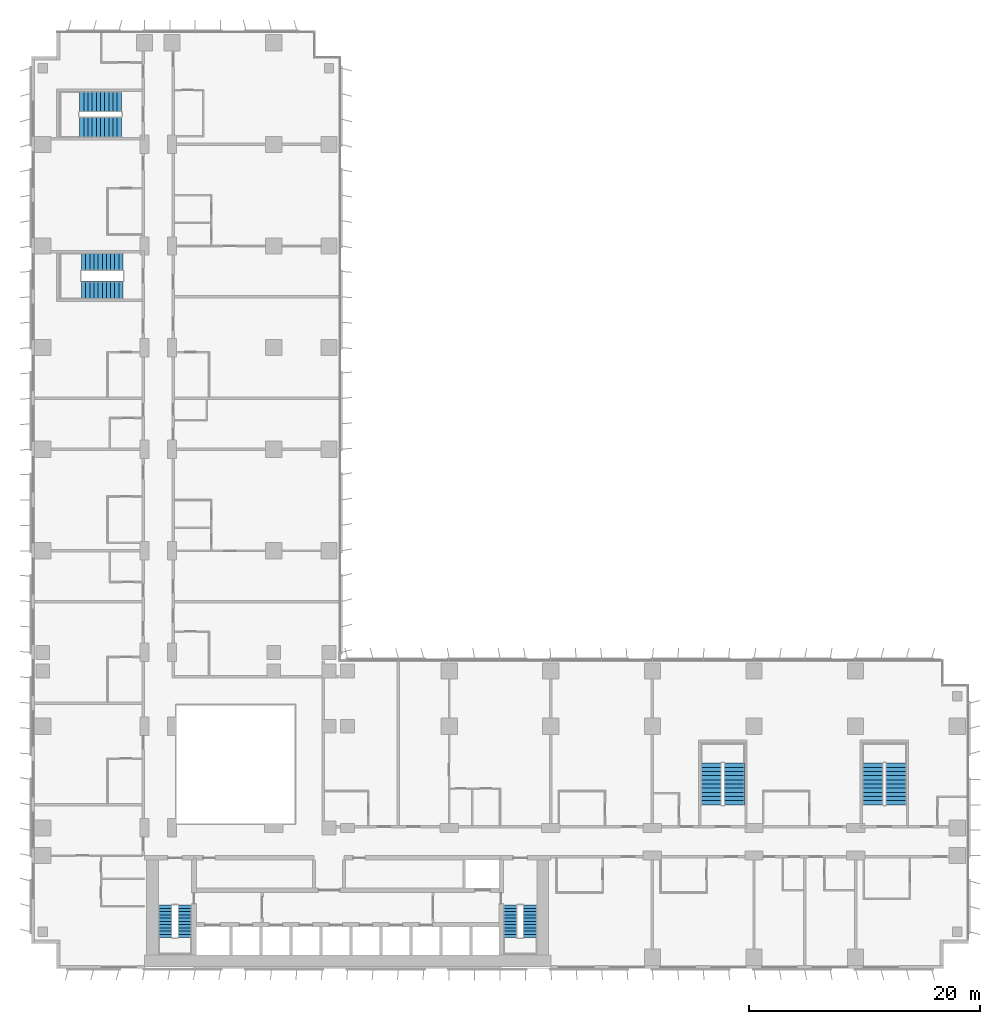
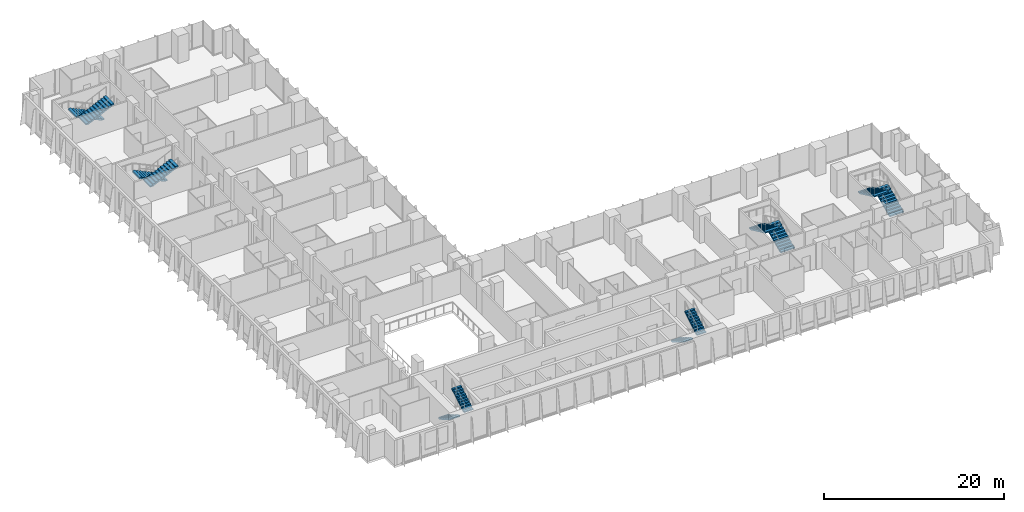
# One storey, part 20 of 24: 12 stair flights, 6 elements without a shape of their own.
"""IFC4 building model written with IfcOpenShell, lengths in metres."""

from ifc_helpers import new_model, si_unit, direction, frame, origin, place, context, subcontext, project, spatial, polyline, outline, extrude, material, type_object, element, aggregate, save


model = new_model("IFC4")

# Units and contexts
model_context = context("Model", 3, precision=1e-05, world=origin(), true_north=direction((0.0, 1.0)))
body_context = subcontext(model_context, "Body", "Model", "MODEL_VIEW")
ifc_project = project(units=[si_unit("LENGTHUNIT", "METRE"), si_unit("AREAUNIT", "SQUARE_METRE"), si_unit("VOLUMEUNIT", "CUBIC_METRE"), si_unit("PLANEANGLEUNIT", "RADIAN"), si_unit("MASSUNIT", "GRAM", prefix="KILO")], contexts=[model_context])

# Site, building, storey
site_placement = place(None, origin())
site = spatial("IfcSite", under=ifc_project, at=site_placement, CompositionType="ELEMENT")
building_placement = place(site_placement, origin())
building = spatial("IfcBuilding", under=site, at=building_placement, Name="Kemantara Hotel Tower", CompositionType="ELEMENT")
storey_placement = place(building_placement, frame((0.0, 0.0, 45.10009765625)))
storey = spatial("IfcBuildingStorey", under=building, at=storey_placement, Name="L09", CompositionType="ELEMENT", Elevation=45.10009765625)

# Stair, stair flights
ifc_material = material(Name="Concrete fc 40 MPa", Category="concrete")
stair_type_1 = type_object("IfcStairType", Name="Stair 1200 wide 22 risers of 168 x 280 mm", PredefinedType="HALF_TURN_STAIR", material=ifc_material)
stair_1_placement = place(storey_placement, origin())
stair_1 = element("IfcStair", 1, at=stair_1_placement, inside=storey, type_object=stair_type_1, Name="L09 Exit stair ST1", PredefinedType="HALF_TURN_STAIR")
stair_flight_type_1 = type_object("IfcStairFlightType", Name="Stair flight 1200 wide 168 x 280 mm", PredefinedType="STRAIGHT", material=ifc_material)
stair_flight_1_placement = place(storey_placement, frame((11.60009765625, 5.5, 0.0), z_axis=(0.0, 0.0, 1.0), x_axis=(0.0, -1.0, 0.0)))
stair_flight_1 = element("IfcStairFlight", 2, at=stair_flight_1_placement, type_object=stair_flight_type_1, Name="ST1 flight 1", NumberOfRisers=11, NumberOfTreads=10, PredefinedType="STRAIGHT", RiserHeight=0.168181818, TreadLength=0.28, context=body_context, shape_type="SweptSolid", body=[
    extrude(outline(polyline([(0.0, 0.0), (0.0, 0.168212890625), (0.280029296875, 0.168212890625), (0.280029296875, 0.33642578125), (0.56005859375, 0.33642578125), (0.56005859375, 0.504638671875), (0.840087890625, 0.504638671875), (0.840087890625, 0.672607421875), (1.1201171875, 0.672607421875), (1.1201171875, 0.8408203125), (1.39990234375, 0.8408203125), (1.39990234375, 1.009033203125), (1.679931640625, 1.009033203125), (1.679931640625, 1.17724609375), (1.9599609375, 1.17724609375), (1.9599609375, 1.345458984375), (2.239990234375, 1.345458984375), (2.239990234375, 1.513671875), (2.52001953125, 1.513671875), (2.52001953125, 1.681884765625), (2.800048828125, 1.681884765625), (2.800048828125, 1.85009765625), (2.800048828125, 1.5068359375), (0.291015625, 0.0), (0.0, 0.0)])), frame((0.0, 0.60009765625, 0.0), z_axis=(0.0, -1.0, 0.0), x_axis=(1.0, 0.0, 0.0)), (0.0, 0.0, 1.0), 1.199951171875),
])
stair_flight_2_placement = place(storey_placement, frame((13.300048828125, 2.699951171875, 1.849853515625), z_axis=(0.0, 0.0, 1.0), x_axis=(0.0, 1.0, 0.0)))
stair_flight_2 = element("IfcStairFlight", 3, at=stair_flight_2_placement, type_object=stair_flight_type_1, Name="ST1 flight 2", NumberOfRisers=11, NumberOfTreads=10, PredefinedType="STRAIGHT", RiserHeight=0.168181818, TreadLength=0.28, context=body_context, shape_type="SweptSolid", body=[
    extrude(outline(polyline([(0.0, 0.0), (0.0, 0.168212890625), (0.280029296875, 0.168212890625), (0.280029296875, 0.33642578125), (0.56005859375, 0.33642578125), (0.56005859375, 0.504638671875), (0.840087890625, 0.504638671875), (0.840087890625, 0.672607421875), (1.1201171875, 0.672607421875), (1.1201171875, 0.8408203125), (1.39990234375, 0.8408203125), (1.39990234375, 1.009033203125), (1.679931640625, 1.009033203125), (1.679931640625, 1.17724609375), (1.9599609375, 1.17724609375), (1.9599609375, 1.345458984375), (2.239990234375, 1.345458984375), (2.239990234375, 1.513671875), (2.52001953125, 1.513671875), (2.52001953125, 1.681884765625), (2.800048828125, 1.681884765625), (2.800048828125, 1.85009765625), (2.800048828125, 1.5068359375), (0.291015625, 0.0), (0.0, 0.0)])), frame((0.0, 0.60009765625, 0.0), z_axis=(0.0, -1.0, 0.0), x_axis=(1.0, 0.0, 0.0)), (0.0, 0.0, 1.0), 1.199951171875),
])
aggregate(stair_1, [stair_flight_1, stair_flight_2])

stair_2_placement = place(storey_placement, origin())
stair_2 = element("IfcStair", 4, at=stair_2_placement, inside=storey, type_object=stair_type_1, Name="L09 Exit stair ST2", PredefinedType="HALF_TURN_STAIR")
stair_flight_3_placement = place(storey_placement, frame((41.5, 5.5, 0.0), z_axis=(0.0, 0.0, 1.0), x_axis=(0.0, -1.0, 0.0)))
stair_flight_3 = element("IfcStairFlight", 5, at=stair_flight_3_placement, type_object=stair_flight_type_1, Name="ST2 flight 1", NumberOfRisers=11, NumberOfTreads=10, PredefinedType="STRAIGHT", RiserHeight=0.168181818, TreadLength=0.28, context=body_context, shape_type="SweptSolid", body=[
    extrude(outline(polyline([(0.0, 0.0), (0.0, 0.168212890625), (0.280029296875, 0.168212890625), (0.280029296875, 0.33642578125), (0.56005859375, 0.33642578125), (0.56005859375, 0.504638671875), (0.840087890625, 0.504638671875), (0.840087890625, 0.672607421875), (1.1201171875, 0.672607421875), (1.1201171875, 0.8408203125), (1.39990234375, 0.8408203125), (1.39990234375, 1.009033203125), (1.679931640625, 1.009033203125), (1.679931640625, 1.17724609375), (1.9599609375, 1.17724609375), (1.9599609375, 1.345458984375), (2.239990234375, 1.345458984375), (2.239990234375, 1.513671875), (2.52001953125, 1.513671875), (2.52001953125, 1.681884765625), (2.800048828125, 1.681884765625), (2.800048828125, 1.85009765625), (2.800048828125, 1.5068359375), (0.291015625, 0.0), (0.0, 0.0)])), frame((0.0, 0.60009765625, 0.0), z_axis=(0.0, -1.0, 0.0), x_axis=(1.0, 0.0, 0.0)), (0.0, 0.0, 1.0), 1.199951171875),
])
stair_flight_4_placement = place(storey_placement, frame((43.199951171875, 2.699951171875, 1.849853515625), z_axis=(0.0, 0.0, 1.0), x_axis=(0.0, 1.0, 0.0)))
stair_flight_4 = element("IfcStairFlight", 6, at=stair_flight_4_placement, type_object=stair_flight_type_1, Name="ST2 flight 2", NumberOfRisers=11, NumberOfTreads=10, PredefinedType="STRAIGHT", RiserHeight=0.168181818, TreadLength=0.28, context=body_context, shape_type="SweptSolid", body=[
    extrude(outline(polyline([(0.0, 0.0), (0.0, 0.168212890625), (0.280029296875, 0.168212890625), (0.280029296875, 0.33642578125), (0.56005859375, 0.33642578125), (0.56005859375, 0.504638671875), (0.840087890625, 0.504638671875), (0.840087890625, 0.672607421875), (1.1201171875, 0.672607421875), (1.1201171875, 0.8408203125), (1.39990234375, 0.8408203125), (1.39990234375, 1.009033203125), (1.679931640625, 1.009033203125), (1.679931640625, 1.17724609375), (1.9599609375, 1.17724609375), (1.9599609375, 1.345458984375), (2.239990234375, 1.345458984375), (2.239990234375, 1.513671875), (2.52001953125, 1.513671875), (2.52001953125, 1.681884765625), (2.800048828125, 1.681884765625), (2.800048828125, 1.85009765625), (2.800048828125, 1.5068359375), (0.291015625, 0.0), (0.0, 0.0)])), frame((0.0, 0.60009765625, 0.0), z_axis=(0.0, -1.0, 0.0), x_axis=(1.0, 0.0, 0.0)), (0.0, 0.0, 1.0), 1.199951171875),
])
aggregate(stair_2, [stair_flight_3, stair_flight_4])

stair_type_2 = type_object("IfcStairType", Name="Stair 1550 wide 22 risers of 168 x 360 mm", PredefinedType="HALF_TURN_STAIR", material=ifc_material)
stair_3_placement = place(storey_placement, origin())
stair_3 = element("IfcStair", 7, at=stair_3_placement, inside=storey, type_object=stair_type_2, Name="L09 Exit stair ST4", PredefinedType="HALF_TURN_STAIR")
stair_flight_type_2 = type_object("IfcStairFlightType", Name="Stair flight 1550 wide 168 x 360 mm", PredefinedType="STRAIGHT", material=ifc_material)
stair_flight_5_placement = place(storey_placement, frame((7.949951171875, 61.22509765625, 0.0), z_axis=(0.0, 0.0, 1.0), x_axis=(-1.0, 0.0, 0.0)))
stair_flight_5 = element("IfcStairFlight", 8, at=stair_flight_5_placement, type_object=stair_flight_type_2, Name="ST4 flight 1", NumberOfRisers=11, NumberOfTreads=10, PredefinedType="STRAIGHT", RiserHeight=0.168181818, TreadLength=0.36, context=body_context, shape_type="SweptSolid", body=[
    extrude(outline(polyline([(0.0, 0.0), (0.0, 0.168212890625), (0.360107421875, 0.168212890625), (0.360107421875, 0.33642578125), (0.719970703125, 0.33642578125), (0.719970703125, 0.504638671875), (1.080078125, 0.504638671875), (1.080078125, 0.672607421875), (1.43994140625, 0.672607421875), (1.43994140625, 0.8408203125), (1.800048828125, 0.8408203125), (1.800048828125, 1.009033203125), (2.159912109375, 1.009033203125), (2.159912109375, 1.17724609375), (2.52001953125, 1.17724609375), (2.52001953125, 1.345458984375), (2.8798828125, 1.345458984375), (2.8798828125, 1.513671875), (3.239990234375, 1.513671875), (3.239990234375, 1.681884765625), (3.60009765625, 1.681884765625), (3.60009765625, 1.85009765625), (3.60009765625, 1.516357421875), (0.354248046875, 0.0), (0.0, 0.0)])), frame((0.0, 0.77490234375, 0.0), z_axis=(0.0, -1.0, 0.0), x_axis=(1.0, 0.0, 0.0)), (0.0, 0.0, 1.0), 1.550048828125),
])
stair_flight_6_placement = place(storey_placement, frame((4.35009765625, 58.77490234375, 1.849853515625), z_axis=(0.0, 0.0, 1.0), x_axis=(1.0, 0.0, 0.0)))
stair_flight_6 = element("IfcStairFlight", 9, at=stair_flight_6_placement, type_object=stair_flight_type_2, Name="ST4 flight 2", NumberOfRisers=11, NumberOfTreads=10, PredefinedType="STRAIGHT", RiserHeight=0.168181818, TreadLength=0.36, context=body_context, shape_type="SweptSolid", body=[
    extrude(outline(polyline([(0.0, 0.0), (0.0, 0.168212890625), (0.360107421875, 0.168212890625), (0.360107421875, 0.33642578125), (0.719970703125, 0.33642578125), (0.719970703125, 0.504638671875), (1.080078125, 0.504638671875), (1.080078125, 0.672607421875), (1.43994140625, 0.672607421875), (1.43994140625, 0.8408203125), (1.800048828125, 0.8408203125), (1.800048828125, 1.009033203125), (2.159912109375, 1.009033203125), (2.159912109375, 1.17724609375), (2.52001953125, 1.17724609375), (2.52001953125, 1.345458984375), (2.8798828125, 1.345458984375), (2.8798828125, 1.513671875), (3.239990234375, 1.513671875), (3.239990234375, 1.681884765625), (3.60009765625, 1.681884765625), (3.60009765625, 1.85009765625), (3.60009765625, 1.516357421875), (0.354248046875, 0.0), (0.0, 0.0)])), frame((0.0, 0.77490234375, 0.0), z_axis=(0.0, -1.0, 0.0), x_axis=(1.0, 0.0, 0.0)), (0.0, 0.0, 1.0), 1.550048828125),
])
aggregate(stair_3, [stair_flight_5, stair_flight_6])

stair_type_3 = type_object("IfcStairType", Name="Stair 1800 wide 22 risers of 168 x 360 mm", PredefinedType="HALF_TURN_STAIR", material=ifc_material)
stair_4_placement = place(storey_placement, origin())
stair_4 = element("IfcStair", 10, at=stair_4_placement, inside=storey, type_object=stair_type_3, Name="L09 Exit stair ST3", PredefinedType="HALF_TURN_STAIR")
stair_flight_type_3 = type_object("IfcStairFlightType", Name="Stair flight 1800 wide 168 x 360 mm", PredefinedType="STRAIGHT", material=ifc_material)
stair_flight_7_placement = place(storey_placement, frame((60.89990234375, 14.199951171875, 0.0), z_axis=(0.0, 0.0, 1.0), x_axis=(0.0, 1.0, 0.0)))
stair_flight_7 = element("IfcStairFlight", 11, at=stair_flight_7_placement, type_object=stair_flight_type_3, Name="ST3 flight 1", NumberOfRisers=11, NumberOfTreads=10, PredefinedType="STRAIGHT", RiserHeight=0.168181818, TreadLength=0.36, context=body_context, shape_type="SweptSolid", body=[
    extrude(outline(polyline([(0.0, 0.0), (0.0, 0.168212890625), (0.360107421875, 0.168212890625), (0.360107421875, 0.33642578125), (0.719970703125, 0.33642578125), (0.719970703125, 0.504638671875), (1.080078125, 0.504638671875), (1.080078125, 0.672607421875), (1.43994140625, 0.672607421875), (1.43994140625, 0.8408203125), (1.800048828125, 0.8408203125), (1.800048828125, 1.009033203125), (2.159912109375, 1.009033203125), (2.159912109375, 1.17724609375), (2.52001953125, 1.17724609375), (2.52001953125, 1.345458984375), (2.8798828125, 1.345458984375), (2.8798828125, 1.513671875), (3.239990234375, 1.513671875), (3.239990234375, 1.681884765625), (3.60009765625, 1.681884765625), (3.60009765625, 1.85009765625), (3.60009765625, 1.516357421875), (0.354248046875, 0.0), (0.0, 0.0)])), frame((0.0, 0.89990234375, 0.0), z_axis=(0.0, -1.0, 0.0), x_axis=(1.0, 0.0, 0.0)), (0.0, 0.0, 1.0), 1.800048828125),
])
stair_flight_8_placement = place(storey_placement, frame((58.89990234375, 17.800048828125, 1.849853515625), z_axis=(0.0, 0.0, 1.0), x_axis=(0.0, -1.0, 0.0)))
stair_flight_8 = element("IfcStairFlight", 12, at=stair_flight_8_placement, type_object=stair_flight_type_3, Name="ST3 flight 2", NumberOfRisers=11, NumberOfTreads=10, PredefinedType="STRAIGHT", RiserHeight=0.168181818, TreadLength=0.36, context=body_context, shape_type="SweptSolid", body=[
    extrude(outline(polyline([(0.0, 0.0), (0.0, 0.168212890625), (0.360107421875, 0.168212890625), (0.360107421875, 0.33642578125), (0.719970703125, 0.33642578125), (0.719970703125, 0.504638671875), (1.080078125, 0.504638671875), (1.080078125, 0.672607421875), (1.43994140625, 0.672607421875), (1.43994140625, 0.8408203125), (1.800048828125, 0.8408203125), (1.800048828125, 1.009033203125), (2.159912109375, 1.009033203125), (2.159912109375, 1.17724609375), (2.52001953125, 1.17724609375), (2.52001953125, 1.345458984375), (2.8798828125, 1.345458984375), (2.8798828125, 1.513671875), (3.239990234375, 1.513671875), (3.239990234375, 1.681884765625), (3.60009765625, 1.681884765625), (3.60009765625, 1.85009765625), (3.60009765625, 1.516357421875), (0.354248046875, 0.0), (0.0, 0.0)])), frame((0.0, 0.89990234375, 0.0), z_axis=(0.0, -1.0, 0.0), x_axis=(1.0, 0.0, 0.0)), (0.0, 0.0, 1.0), 1.800048828125),
])
aggregate(stair_4, [stair_flight_7, stair_flight_8])

stair_5_placement = place(storey_placement, origin())
stair_5 = element("IfcStair", 13, at=stair_5_placement, inside=storey, type_object=stair_type_3, Name="L09 Exit stair ST5", PredefinedType="HALF_TURN_STAIR")
stair_flight_9_placement = place(storey_placement, frame((74.89990234375, 14.199951171875, 0.0), z_axis=(0.0, 0.0, 1.0), x_axis=(0.0, 1.0, 0.0)))
stair_flight_9 = element("IfcStairFlight", 14, at=stair_flight_9_placement, type_object=stair_flight_type_3, Name="ST5 flight 1", NumberOfRisers=11, NumberOfTreads=10, PredefinedType="STRAIGHT", RiserHeight=0.168181818, TreadLength=0.36, context=body_context, shape_type="SweptSolid", body=[
    extrude(outline(polyline([(0.0, 0.0), (0.0, 0.168212890625), (0.360107421875, 0.168212890625), (0.360107421875, 0.33642578125), (0.719970703125, 0.33642578125), (0.719970703125, 0.504638671875), (1.080078125, 0.504638671875), (1.080078125, 0.672607421875), (1.43994140625, 0.672607421875), (1.43994140625, 0.8408203125), (1.800048828125, 0.8408203125), (1.800048828125, 1.009033203125), (2.159912109375, 1.009033203125), (2.159912109375, 1.17724609375), (2.52001953125, 1.17724609375), (2.52001953125, 1.345458984375), (2.8798828125, 1.345458984375), (2.8798828125, 1.513671875), (3.239990234375, 1.513671875), (3.239990234375, 1.681884765625), (3.60009765625, 1.681884765625), (3.60009765625, 1.85009765625), (3.60009765625, 1.516357421875), (0.354248046875, 0.0), (0.0, 0.0)])), frame((0.0, 0.89990234375, 0.0), z_axis=(0.0, -1.0, 0.0), x_axis=(1.0, 0.0, 0.0)), (0.0, 0.0, 1.0), 1.800048828125),
])
stair_flight_10_placement = place(storey_placement, frame((72.89990234375, 17.800048828125, 1.849853515625), z_axis=(0.0, 0.0, 1.0), x_axis=(0.0, -1.0, 0.0)))
stair_flight_10 = element("IfcStairFlight", 15, at=stair_flight_10_placement, type_object=stair_flight_type_3, Name="ST5 flight 2", NumberOfRisers=11, NumberOfTreads=10, PredefinedType="STRAIGHT", RiserHeight=0.168181818, TreadLength=0.36, context=body_context, shape_type="SweptSolid", body=[
    extrude(outline(polyline([(0.0, 0.0), (0.0, 0.168212890625), (0.360107421875, 0.168212890625), (0.360107421875, 0.33642578125), (0.719970703125, 0.33642578125), (0.719970703125, 0.504638671875), (1.080078125, 0.504638671875), (1.080078125, 0.672607421875), (1.43994140625, 0.672607421875), (1.43994140625, 0.8408203125), (1.800048828125, 0.8408203125), (1.800048828125, 1.009033203125), (2.159912109375, 1.009033203125), (2.159912109375, 1.17724609375), (2.52001953125, 1.17724609375), (2.52001953125, 1.345458984375), (2.8798828125, 1.345458984375), (2.8798828125, 1.513671875), (3.239990234375, 1.513671875), (3.239990234375, 1.681884765625), (3.60009765625, 1.681884765625), (3.60009765625, 1.85009765625), (3.60009765625, 1.516357421875), (0.354248046875, 0.0), (0.0, 0.0)])), frame((0.0, 0.89990234375, 0.0), z_axis=(0.0, -1.0, 0.0), x_axis=(1.0, 0.0, 0.0)), (0.0, 0.0, 1.0), 1.800048828125),
])
aggregate(stair_5, [stair_flight_9, stair_flight_10])

stair_6_placement = place(storey_placement, origin())
stair_6 = element("IfcStair", 16, at=stair_6_placement, inside=storey, type_object=stair_type_3, Name="L09 Exit stair ST6", PredefinedType="HALF_TURN_STAIR")
stair_flight_11_placement = place(storey_placement, frame((7.800048828125, 75.10009765625, 0.0), z_axis=(0.0, 0.0, 1.0), x_axis=(-1.0, 0.0, 0.0)))
stair_flight_11 = element("IfcStairFlight", 17, at=stair_flight_11_placement, type_object=stair_flight_type_3, Name="ST6 flight 1", NumberOfRisers=11, NumberOfTreads=10, PredefinedType="STRAIGHT", RiserHeight=0.168181818, TreadLength=0.36, context=body_context, shape_type="SweptSolid", body=[
    extrude(outline(polyline([(0.0, 0.0), (0.0, 0.168212890625), (0.360107421875, 0.168212890625), (0.360107421875, 0.33642578125), (0.719970703125, 0.33642578125), (0.719970703125, 0.504638671875), (1.080078125, 0.504638671875), (1.080078125, 0.672607421875), (1.43994140625, 0.672607421875), (1.43994140625, 0.8408203125), (1.800048828125, 0.8408203125), (1.800048828125, 1.009033203125), (2.159912109375, 1.009033203125), (2.159912109375, 1.17724609375), (2.52001953125, 1.17724609375), (2.52001953125, 1.345458984375), (2.8798828125, 1.345458984375), (2.8798828125, 1.513671875), (3.239990234375, 1.513671875), (3.239990234375, 1.681884765625), (3.60009765625, 1.681884765625), (3.60009765625, 1.85009765625), (3.60009765625, 1.516357421875), (0.354248046875, 0.0), (0.0, 0.0)])), frame((0.0, 0.89990234375, 0.0), z_axis=(0.0, -1.0, 0.0), x_axis=(1.0, 0.0, 0.0)), (0.0, 0.0, 1.0), 1.800048828125),
])
stair_flight_12_placement = place(storey_placement, frame((4.199951171875, 72.89990234375, 1.849853515625), z_axis=(0.0, 0.0, 1.0), x_axis=(1.0, 0.0, 0.0)))
stair_flight_12 = element("IfcStairFlight", 18, at=stair_flight_12_placement, type_object=stair_flight_type_3, Name="ST6 flight 2", NumberOfRisers=11, NumberOfTreads=10, PredefinedType="STRAIGHT", RiserHeight=0.168181818, TreadLength=0.36, context=body_context, shape_type="SweptSolid", body=[
    extrude(outline(polyline([(0.0, 0.0), (0.0, 0.168212890625), (0.360107421875, 0.168212890625), (0.360107421875, 0.33642578125), (0.719970703125, 0.33642578125), (0.719970703125, 0.504638671875), (1.080078125, 0.504638671875), (1.080078125, 0.672607421875), (1.43994140625, 0.672607421875), (1.43994140625, 0.8408203125), (1.800048828125, 0.8408203125), (1.800048828125, 1.009033203125), (2.159912109375, 1.009033203125), (2.159912109375, 1.17724609375), (2.52001953125, 1.17724609375), (2.52001953125, 1.345458984375), (2.8798828125, 1.345458984375), (2.8798828125, 1.513671875), (3.239990234375, 1.513671875), (3.239990234375, 1.681884765625), (3.60009765625, 1.681884765625), (3.60009765625, 1.85009765625), (3.60009765625, 1.516357421875), (0.354248046875, 0.0), (0.0, 0.0)])), frame((0.0, 0.89990234375, 0.0), z_axis=(0.0, -1.0, 0.0), x_axis=(1.0, 0.0, 0.0)), (0.0, 0.0, 1.0), 1.800048828125),
])
aggregate(stair_6, [stair_flight_11, stair_flight_12])

save(model, "model.ifc")
